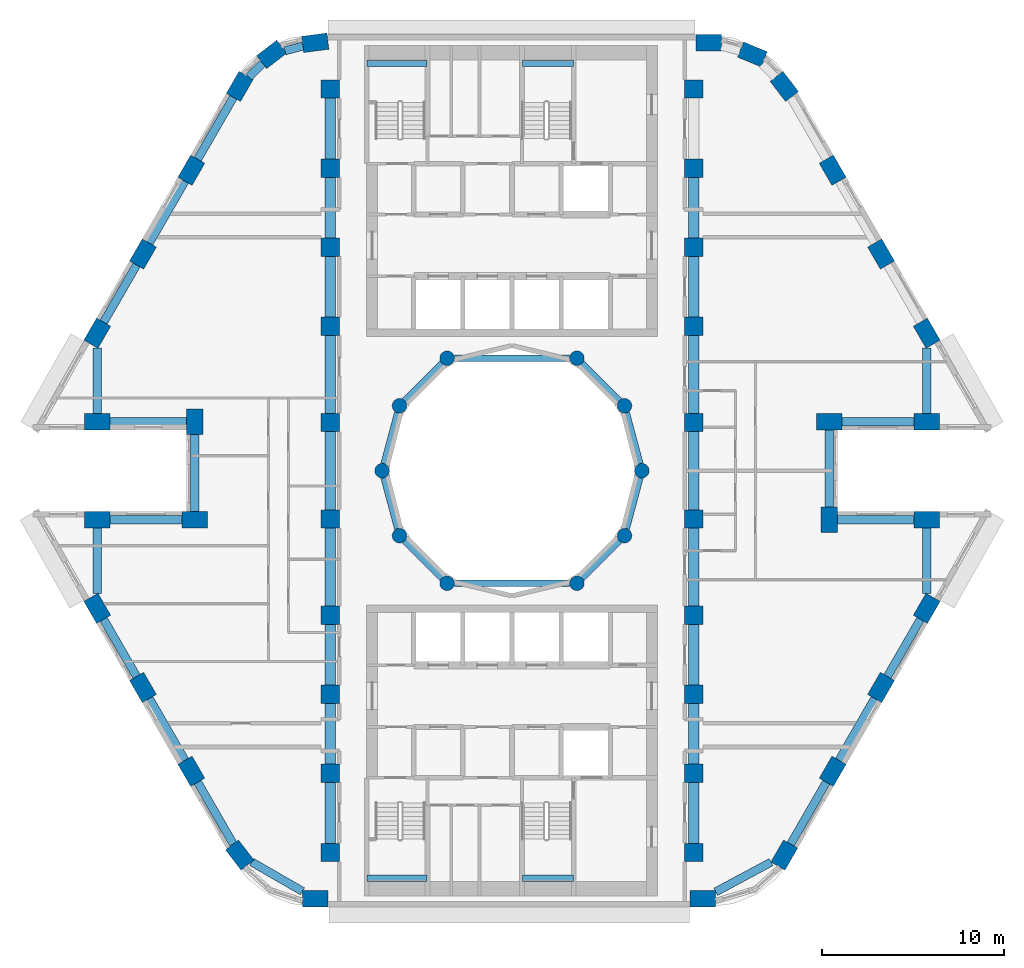
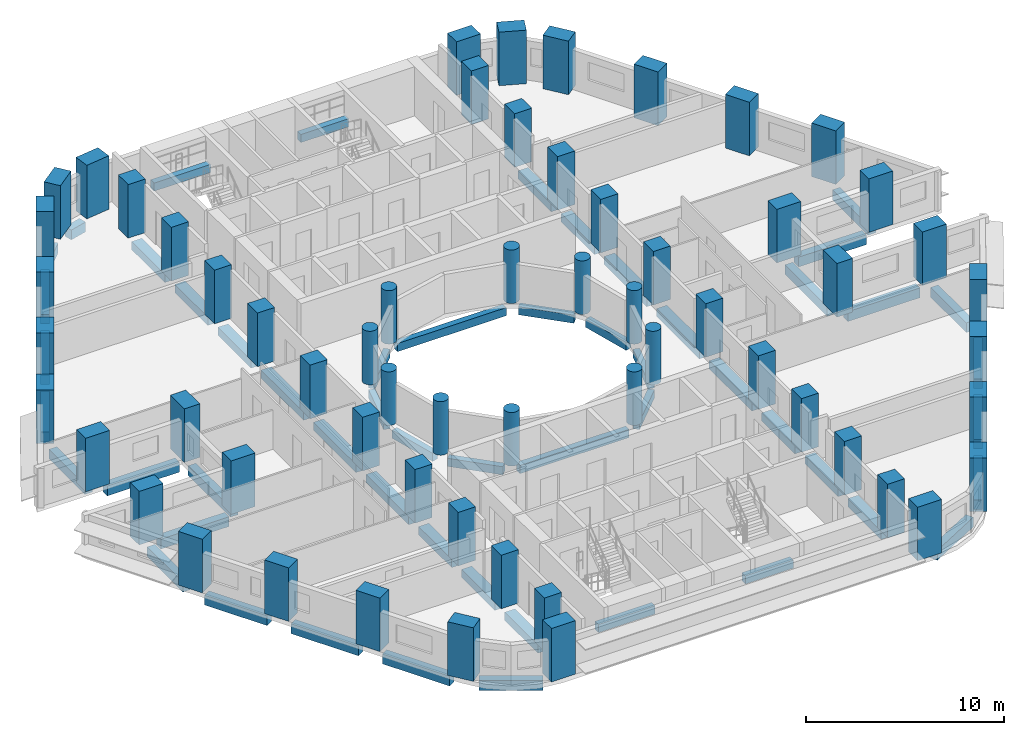
# One storey, part 1 of 12: 60 columns, 54 beams.
"""IFC4 building model written with IfcOpenShell, lengths in metres."""

from ifc_helpers import new_model, si_unit, direction, frame, origin, origin_2d, place, context, subcontext, project, spatial, rectangle, circle, extrude, material, material_profile, profile_set, type_object, element, save


model = new_model("IFC4")

# Units and contexts
model_context = context("Model", 3, precision=1e-05, world=origin(), true_north=direction((0.0, 1.0)))
body_context = subcontext(model_context, "Body", "Model", "MODEL_VIEW")
ifc_project = project(units=[si_unit("LENGTHUNIT", "METRE"), si_unit("AREAUNIT", "SQUARE_METRE"), si_unit("VOLUMEUNIT", "CUBIC_METRE"), si_unit("PLANEANGLEUNIT", "RADIAN"), si_unit("MASSUNIT", "GRAM", prefix="KILO")], contexts=[model_context])

# Site, building, storey
site_placement = place(None, origin())
site = spatial("IfcSite", under=ifc_project, at=site_placement, CompositionType="ELEMENT")
building_placement = place(site_placement, origin())
building = spatial("IfcBuilding", under=site, at=building_placement, Name="Nakaniwa Court", CompositionType="ELEMENT")
storey_placement = place(building_placement, frame((0.0, 0.0, 87.60009765625)))
storey = spatial("IfcBuildingStorey", under=building, at=storey_placement, Name="L22", CompositionType="ELEMENT", Elevation=87.60009765625)

# Columns
ifc_material = material(Name="Concrete C80/100", Category="concrete")
ifc_material_profile_1 = material_profile(ifc_material, rectangle(XDim=1.0, YDim=1.0, at=origin_2d()), Name="Concrete C80/100 RC 1000x1000 spine column")
ifc_profile_set_1 = profile_set([ifc_material_profile_1], Name="Concrete C80/100")
column_type_1 = type_object("IfcColumnType", Name="Concrete C80/100 RC 1000x1000 spine column", PredefinedType="COLUMN", material=ifc_profile_set_1)
for number, where, z_axis, x_axis, name in (
    (1, (90.0, 59.0, 0.0), (0.0, 0.0, 1.0), (0.0, 1.0, 0.0), "COLUMN CS-01"),
    (2, (90.0, 63.35009765625, 0.0), (0.0, 0.0, 1.0), (0.0, 1.0, 0.0), "COLUMN CS-02"),
    (3, (90.0, 67.699951171875, 0.0), (0.0, 0.0, 1.0), (0.0, 1.0, 0.0), "COLUMN CS-03"),
    (4, (90.0, 72.050048828125, 0.0), (0.0, 0.0, 1.0), (0.0, 1.0, 0.0), "COLUMN CS-04"),
    (5, (90.0, 77.35009765625, 0.0), (0.0, 0.0, 1.0), (0.0, 1.0, 0.0), "COLUMN CS-05"),
    (6, (90.0, 82.64990234375, 0.0), (0.0, 0.0, 1.0), (0.0, 1.0, 0.0), "COLUMN CS-06"),
    (7, (90.0, 87.949951171875, 0.0), (0.0, 0.0, 1.0), (0.0, 1.0, 0.0), "COLUMN CS-07"),
    (8, (90.0, 92.300048828125, 0.0), (0.0, 0.0, 1.0), (0.0, 1.0, 0.0), "COLUMN CS-08"),
    (9, (90.0, 96.64990234375, 0.0), (0.0, 0.0, 1.0), (0.0, 1.0, 0.0), "COLUMN CS-09"),
    (10, (90.0, 101.0, 0.0), (0.0, 0.0, 1.0), (0.0, 1.0, 0.0), "COLUMN CS-10"),
    (11, (70.0, 101.0, 0.0), (0.0, 0.0, 1.0), (0.0, -1.0, 0.0), "COLUMN CS-11"),
    (12, (70.0, 96.64990234375, 0.0), (0.0, 0.0, 1.0), (0.0, -1.0, 0.0), "COLUMN CS-12"),
    (13, (70.0, 92.300048828125, 0.0), (0.0, 0.0, 1.0), (0.0, -1.0, 0.0), "COLUMN CS-13"),
    (14, (70.0, 87.949951171875, 0.0), (0.0, 0.0, 1.0), (0.0, -1.0, 0.0), "COLUMN CS-14"),
    (15, (70.0, 82.64990234375, 0.0), (0.0, 0.0, 1.0), (0.0, -1.0, 0.0), "COLUMN CS-15"),
    (16, (70.0, 77.35009765625, 0.0), (0.0, 0.0, 1.0), (0.0, -1.0, 0.0), "COLUMN CS-16"),
    (17, (70.0, 72.050048828125, 0.0), (0.0, 0.0, 1.0), (0.0, -1.0, 0.0), "COLUMN CS-17"),
    (18, (70.0, 67.699951171875, 0.0), (0.0, 0.0, 1.0), (0.0, -1.0, 0.0), "COLUMN CS-18"),
    (19, (70.0, 63.35009765625, 0.0), (0.0, 0.0, 1.0), (0.0, -1.0, 0.0), "COLUMN CS-19"),
    (20, (70.0, 59.0, 0.0), (0.0, 0.0, 1.0), (0.0, -1.0, 0.0), "COLUMN CS-20"),
):
    element("IfcColumn", number, at=place(storey_placement, frame(where, z_axis=z_axis, x_axis=x_axis)), inside=storey, type_object=column_type_1, Name=name, PredefinedType="COLUMN", context=body_context, shape_type="SweptSolid", body=[
        extrude(rectangle(XDim=1.0, YDim=1.0, at=origin_2d()), origin(), (0.0, 0.0, 1.0), 3.2998046875),
    ])
ifc_material_profile_2 = material_profile(ifc_material, rectangle(XDim=1.39990234375, YDim=0.89990234375, at=origin_2d()), Name="Concrete C80/100 RC 1400x900 perimeter column")
ifc_profile_set_2 = profile_set([ifc_material_profile_2], Name="Concrete C80/100")
column_type_2 = type_object("IfcColumnType", Name="Concrete C80/100 RC 1400x900 perimeter column", PredefinedType="COLUMN", material=ifc_profile_set_2)
for number, where, z_axis, x_axis, name in (
    (21, (69.17529296875, 103.550048828125, 0.0), (0.0, 0.0, 1.0), (-0.991442583111, -0.130543496177, 0.0), "COLUMN CO-01"),
    (22, (66.772705078125, 102.91015625, 0.0), (0.0, 0.0, 1.0), (-0.793363965062, -0.608747582288, 0.0), "COLUMN CO-02"),
    (23, (65.017578125, 101.1494140625, 0.0), (0.0, 0.0, 1.0), (-0.5, -0.866025403784, 0.0), "COLUMN CO-03"),
    (24, (62.3544921875, 96.537109375, 0.0), (0.0, 0.0, 1.0), (-0.5, -0.866025403784, 0.0), "COLUMN CO-04"),
    (25, (59.691650390625, 91.9248046875, 0.0), (0.0, 0.0, 1.0), (-0.5, -0.866025403784, 0.0), "COLUMN CO-05"),
    (26, (57.177001953125, 87.569580078125, 0.0), (0.0, 0.0, 1.0), (-0.5, -0.866025403784, 0.0), "COLUMN CO-06"),
    (27, (57.177001953125, 82.699951171875, 0.0), (0.0, 0.0, 1.0), (1.0, 0.0, 0.0), "COLUMN CO-08"),
    (28, (62.54150390625, 82.699951171875, 0.0), (0.0, 0.0, 1.0), (0.0, -1.0, 0.0), "COLUMN CO-09"),
    (29, (62.54150390625, 77.300048828125, 0.0), (0.0, 0.0, 1.0), (-1.0, 0.0, 0.0), "COLUMN CO-10"),
    (30, (57.177001953125, 77.300048828125, 0.0), (0.0, 0.0, 1.0), (-1.0, 0.0, 0.0), "COLUMN CO-11"),
    (31, (57.177001953125, 72.430419921875, 0.0), (0.0, 0.0, 1.0), (0.5, -0.866025403784, 0.0), "COLUMN CO-13"),
    (32, (59.691650390625, 68.0751953125, 0.0), (0.0, 0.0, 1.0), (0.5, -0.866025403784, 0.0), "COLUMN CO-14"),
    (33, (62.3544921875, 63.462890625, 0.0), (0.0, 0.0, 1.0), (0.5, -0.866025403784, 0.0), "COLUMN CO-15"),
    (34, (65.017578125, 58.8505859375, 0.0), (0.0, 0.0, 1.0), (0.608761429009, -0.793353340291, 0.0), "COLUMN CO-16"),
    (35, (69.17529296875, 56.449951171875, 0.0), (0.0, 0.0, 1.0), (1.0, 0.0, 0.0), "COLUMN CO-17"),
    (36, (90.507080078125, 56.449951171875, 0.0), (0.0, 0.0, 1.0), (1.0, 0.0, 0.0), "COLUMN CO-21"),
    (37, (94.982421875, 58.8505859375, 0.0), (0.0, 0.0, 1.0), (0.5, 0.866025403784, 0.0), "COLUMN CO-22"),
    (38, (97.6455078125, 63.462890625, 0.0), (0.0, 0.0, 1.0), (0.5, 0.866025403784, 0.0), "COLUMN CO-23"),
    (39, (100.308349609375, 68.0751953125, 0.0), (0.0, 0.0, 1.0), (0.5, 0.866025403784, 0.0), "COLUMN CO-24"),
    (40, (102.822998046875, 72.430419921875, 0.0), (0.0, 0.0, 1.0), (0.5, 0.866025403784, 0.0), "COLUMN CO-25"),
    (41, (102.822998046875, 77.300048828125, 0.0), (0.0, 0.0, 1.0), (-1.0, 0.0, 0.0), "COLUMN CO-27"),
    (42, (97.45849609375, 77.300048828125, 0.0), (0.0, 0.0, 1.0), (0.0, 1.0, 0.0), "COLUMN CO-28"),
    (43, (97.45849609375, 82.699951171875, 0.0), (0.0, 0.0, 1.0), (1.0, 0.0, 0.0), "COLUMN CO-29"),
    (44, (102.822998046875, 82.699951171875, 0.0), (0.0, 0.0, 1.0), (1.0, 0.0, 0.0), "COLUMN CO-30"),
    (45, (102.822998046875, 87.569580078125, 0.0), (0.0, 0.0, 1.0), (-0.5, 0.866025403784, 0.0), "COLUMN CO-32"),
    (46, (100.308349609375, 91.9248046875, 0.0), (0.0, 0.0, 1.0), (-0.5, 0.866025403784, 0.0), "COLUMN CO-33"),
    (47, (97.6455078125, 96.537109375, 0.0), (0.0, 0.0, 1.0), (-0.5, 0.866025403784, 0.0), "COLUMN CO-34"),
    (48, (94.982421875, 101.1494140625, 0.0), (0.0, 0.0, 1.0), (-0.608761429009, 0.793353340291, 0.0), "COLUMN CO-35"),
    (49, (93.227294921875, 102.91015625, 0.0), (0.0, 0.0, 1.0), (-0.923879532511, 0.382683432365, 0.0), "COLUMN CO-36"),
    (50, (90.82470703125, 103.550048828125, 0.0), (0.0, 0.0, 1.0), (-1.0, 0.0, 0.0), "COLUMN CO-37"),
):
    element("IfcColumn", number, at=place(storey_placement, frame(where, z_axis=z_axis, x_axis=x_axis)), inside=storey, type_object=column_type_2, Name=name, PredefinedType="COLUMN", context=body_context, shape_type="SweptSolid", body=[
        extrude(rectangle(XDim=1.39990234375, YDim=0.89990234375, at=origin_2d()), origin(), (0.0, 0.0, 1.0), 3.2998046875),
    ])
ifc_material_profile_3 = material_profile(ifc_material, circle(Radius=0.39990234375, at=origin_2d()), Name="Concrete C80/100 RC D800 inner ring column")
ifc_profile_set_3 = profile_set([ifc_material_profile_3], Name="Concrete C80/100")
column_type_3 = type_object("IfcColumnType", Name="Concrete C80/100 RC D800 inner ring column", PredefinedType="COLUMN", material=ifc_profile_set_3)
for number, where, z_axis, x_axis, name in (
    (51, (87.14990234375, 80.0, 0.0), (0.0, 0.0, 1.0), (0.0, 1.0, 0.0), "COLUMN CI-01"),
    (52, (86.192138671875, 83.574951171875, 0.0), (0.0, 0.0, 1.0), (-0.5, 0.866025403784, 0.0), "COLUMN CI-02"),
    (53, (83.574951171875, 86.192138671875, 0.0), (0.0, 0.0, 1.0), (-0.866025403784, 0.5, 0.0), "COLUMN CI-03"),
    (54, (76.425048828125, 86.192138671875, 0.0), (0.0, 0.0, 1.0), (-0.866025403784, -0.5, 0.0), "COLUMN CI-05"),
    (55, (73.807861328125, 83.574951171875, 0.0), (0.0, 0.0, 1.0), (-0.5, -0.866025403784, 0.0), "COLUMN CI-06"),
    (56, (72.85009765625, 80.0, 0.0), (0.0, 0.0, 1.0), (0.0, -1.0, 0.0), "COLUMN CI-07"),
    (57, (73.807861328125, 76.425048828125, 0.0), (0.0, 0.0, 1.0), (0.5, -0.866025403784, 0.0), "COLUMN CI-08"),
    (58, (76.425048828125, 73.807861328125, 0.0), (0.0, 0.0, 1.0), (0.866025403784, -0.5, 0.0), "COLUMN CI-09"),
    (59, (83.574951171875, 73.807861328125, 0.0), (0.0, 0.0, 1.0), (0.866025403784, 0.5, 0.0), "COLUMN CI-11"),
    (60, (86.192138671875, 76.425048828125, 0.0), (0.0, 0.0, 1.0), (0.5, 0.866025403784, 0.0), "COLUMN CI-12"),
):
    element("IfcColumn", number, at=place(storey_placement, frame(where, z_axis=z_axis, x_axis=x_axis)), inside=storey, type_object=column_type_3, Name=name, PredefinedType="COLUMN", context=body_context, shape_type="SweptSolid", body=[
        extrude(circle(Radius=0.39990234375, at=origin_2d()), origin(), (0.0, 0.0, 1.0), 3.2998046875),
    ])

# Beams
ifc_material_profile_4 = material_profile(ifc_material, rectangle(XDim=0.35009765625, YDim=0.5, at=origin_2d()), Name="Concrete C80/100 RC 350x500 landing ledge beam")
ifc_profile_set_4 = profile_set([ifc_material_profile_4], Name="Concrete C80/100")
beam_type_1 = type_object("IfcBeamType", Name="Concrete C80/100 RC 350x500 landing ledge beam", PredefinedType="BEAM", material=ifc_profile_set_4)
beam_1_placement = place(storey_placement, frame((72.02490234375, 102.425048828125, 1.199951171875), z_axis=(1.0, 0.0, 0.0), x_axis=(0.0, 1.0, 0.0)))
element("IfcBeam", 61, at=beam_1_placement, inside=storey, type_object=beam_type_1, Name="LANDING LEDGE BEAM", PredefinedType="BEAM", context=body_context, shape_type="SweptSolid", body=[
    extrude(rectangle(XDim=0.35009765625, YDim=0.5, at=origin_2d()), origin(), (0.0, 0.0, 1.0), 3.300048828125),
])
beam_2_placement = place(storey_placement, frame((80.574951171875, 102.425048828125, 1.199951171875), z_axis=(1.0, 0.0, 0.0), x_axis=(0.0, 1.0, 0.0)))
element("IfcBeam", 62, at=beam_2_placement, inside=storey, type_object=beam_type_1, Name="LANDING LEDGE BEAM", PredefinedType="BEAM", context=body_context, shape_type="SweptSolid", body=[
    extrude(rectangle(XDim=0.35009765625, YDim=0.5, at=origin_2d()), origin(), (0.0, 0.0, 1.0), 2.800048828125),
])
beam_3_placement = place(storey_placement, frame((72.02490234375, 57.574951171875, 1.199951171875), z_axis=(1.0, 0.0, 0.0), x_axis=(0.0, 1.0, 0.0)))
element("IfcBeam", 63, at=beam_3_placement, inside=storey, type_object=beam_type_1, Name="LANDING LEDGE BEAM", PredefinedType="BEAM", context=body_context, shape_type="SweptSolid", body=[
    extrude(rectangle(XDim=0.35009765625, YDim=0.5, at=origin_2d()), origin(), (0.0, 0.0, 1.0), 3.300048828125),
])
beam_4_placement = place(storey_placement, frame((80.574951171875, 57.574951171875, 1.199951171875), z_axis=(1.0, 0.0, 0.0), x_axis=(0.0, 1.0, 0.0)))
element("IfcBeam", 64, at=beam_4_placement, inside=storey, type_object=beam_type_1, Name="LANDING LEDGE BEAM", PredefinedType="BEAM", context=body_context, shape_type="SweptSolid", body=[
    extrude(rectangle(XDim=0.35009765625, YDim=0.5, at=origin_2d()), origin(), (0.0, 0.0, 1.0), 2.800048828125),
])
ifc_material_profile_5 = material_profile(ifc_material, rectangle(XDim=0.35009765625, YDim=0.5, at=origin_2d()), Name="Concrete C80/100 RC 350x500 ring beam")
ifc_profile_set_5 = profile_set([ifc_material_profile_5], Name="Concrete C80/100")
beam_type_2 = type_object("IfcBeamType", Name="Concrete C80/100 RC 350x500 ring beam", PredefinedType="BEAM", material=ifc_profile_set_5)
beam_5_placement = place(storey_placement, frame((87.04638671875, 80.386474609375, -0.525146484375), z_axis=(-0.258778150207, 0.965936783115, 0.0), x_axis=(-0.965936783115, -0.258778150207, 0.0)))
element("IfcBeam", 65, at=beam_5_placement, inside=storey, type_object=beam_type_2, Name="RING BEAM", PredefinedType="BEAM", context=body_context, shape_type="SweptSolid", body=[
    extrude(rectangle(XDim=0.35009765625, YDim=0.5, at=origin_2d()), origin(), (0.0, 0.0, 1.0), 2.901123046875),
])
beam_6_placement = place(storey_placement, frame((85.9091796875, 83.85791015625, -0.525146484375), z_axis=(-0.707106781187, 0.707106781187, 0.0), x_axis=(-0.707106781187, -0.707106781187, 0.0)))
element("IfcBeam", 66, at=beam_6_placement, inside=storey, type_object=beam_type_2, Name="RING BEAM", PredefinedType="BEAM", context=body_context, shape_type="SweptSolid", body=[
    extrude(rectangle(XDim=0.35009765625, YDim=0.5, at=origin_2d()), origin(), (0.0, 0.0, 1.0), 2.90087890625),
])
beam_7_placement = place(storey_placement, frame((83.175048828125, 86.192138671875, -0.525146484375), z_axis=(-1.0, 0.0, 0.0), x_axis=(0.0, -1.0, 0.0)))
element("IfcBeam", 67, at=beam_7_placement, inside=storey, type_object=beam_type_2, Name="RING BEAM", PredefinedType="BEAM", context=body_context, shape_type="SweptSolid", body=[
    extrude(rectangle(XDim=0.35009765625, YDim=0.5, at=origin_2d()), origin(), (0.0, 0.0, 1.0), 6.35009765625),
])
beam_8_placement = place(storey_placement, frame((76.14208984375, 85.9091796875, -0.525146484375), z_axis=(-0.707106781187, -0.707106781187, 0.0), x_axis=(0.707106781187, -0.707106781187, 0.0)))
element("IfcBeam", 68, at=beam_8_placement, inside=storey, type_object=beam_type_2, Name="RING BEAM", PredefinedType="BEAM", context=body_context, shape_type="SweptSolid", body=[
    extrude(rectangle(XDim=0.35009765625, YDim=0.5, at=origin_2d()), origin(), (0.0, 0.0, 1.0), 2.90087890625),
])
for number, where, z_axis, x_axis, name in (
    (69, (73.704345703125, 83.188720703125, -0.525146484375), (-0.258778150207, -0.965936783115, 0.0), (0.965936783115, -0.258778150207, 0.0), "RING BEAM"),
    (70, (72.95361328125, 79.613525390625, -0.525146484375), (0.258778150207, -0.965936783115, 0.0), (0.965936783115, 0.258778150207, 0.0), "RING BEAM"),
):
    element("IfcBeam", number, at=place(storey_placement, frame(where, z_axis=z_axis, x_axis=x_axis)), inside=storey, type_object=beam_type_2, Name=name, PredefinedType="BEAM", context=body_context, shape_type="SweptSolid", body=[
        extrude(rectangle(XDim=0.35009765625, YDim=0.5, at=origin_2d()), origin(), (0.0, 0.0, 1.0), 2.901123046875),
    ])
beam_9_placement = place(storey_placement, frame((74.0908203125, 76.14208984375, -0.525146484375), z_axis=(0.707106781187, -0.707106781187, 0.0), x_axis=(0.707106781187, 0.707106781187, 0.0)))
element("IfcBeam", 71, at=beam_9_placement, inside=storey, type_object=beam_type_2, Name="RING BEAM", PredefinedType="BEAM", context=body_context, shape_type="SweptSolid", body=[
    extrude(rectangle(XDim=0.35009765625, YDim=0.5, at=origin_2d()), origin(), (0.0, 0.0, 1.0), 2.90087890625),
])
beam_10_placement = place(storey_placement, frame((76.824951171875, 73.807861328125, -0.525146484375), z_axis=(1.0, 0.0, 0.0), x_axis=(0.0, 1.0, 0.0)))
element("IfcBeam", 72, at=beam_10_placement, inside=storey, type_object=beam_type_2, Name="RING BEAM", PredefinedType="BEAM", context=body_context, shape_type="SweptSolid", body=[
    extrude(rectangle(XDim=0.35009765625, YDim=0.5, at=origin_2d()), origin(), (0.0, 0.0, 1.0), 6.35009765625),
])
beam_11_placement = place(storey_placement, frame((83.85791015625, 74.0908203125, -0.525146484375), z_axis=(0.707106781187, 0.707106781187, 0.0), x_axis=(-0.707106781187, 0.707106781187, 0.0)))
element("IfcBeam", 73, at=beam_11_placement, inside=storey, type_object=beam_type_2, Name="RING BEAM", PredefinedType="BEAM", context=body_context, shape_type="SweptSolid", body=[
    extrude(rectangle(XDim=0.35009765625, YDim=0.5, at=origin_2d()), origin(), (0.0, 0.0, 1.0), 2.90087890625),
])
beam_12_placement = place(storey_placement, frame((86.295654296875, 76.811279296875, -0.525146484375), z_axis=(0.258778150207, 0.965936783115, 0.0), x_axis=(-0.965936783115, 0.258778150207, 0.0)))
element("IfcBeam", 74, at=beam_12_placement, inside=storey, type_object=beam_type_2, Name="RING BEAM", PredefinedType="BEAM", context=body_context, shape_type="SweptSolid", body=[
    extrude(rectangle(XDim=0.35009765625, YDim=0.5, at=origin_2d()), origin(), (0.0, 0.0, 1.0), 2.901123046875),
])
ifc_material_profile_6 = material_profile(ifc_material, rectangle(XDim=0.449951171875, YDim=0.60009765625, at=origin_2d()), Name="Concrete C80/100 RC 450x600 spandrel beam")
ifc_profile_set_6 = profile_set([ifc_material_profile_6], Name="Concrete C80/100")
beam_type_3 = type_object("IfcBeamType", Name="Concrete C80/100 RC 450x600 spandrel beam", PredefinedType="BEAM", material=ifc_profile_set_6)
beam_13_placement = place(storey_placement, frame((68.4931640625, 103.368408203125, -0.5751953125), z_axis=(-0.966290412053, -0.257454538851, 0.0), x_axis=(0.257454538851, -0.966290412053, 0.0)))
element("IfcBeam", 75, at=beam_13_placement, inside=storey, type_object=beam_type_3, Name="SPANDREL BEAM", PredefinedType="BEAM", context=body_context, shape_type="SweptSolid", body=[
    extrude(rectangle(XDim=0.449951171875, YDim=0.60009765625, at=origin_2d()), origin(), (0.0, 0.0, 1.0), 1.022216796875),
])
beam_14_placement = place(storey_placement, frame((66.274169921875, 102.41015625, -0.5751953125), z_axis=(-0.70606530329, -0.708146727374, 0.0), x_axis=(0.708146727374, -0.70606530329, 0.0)))
element("IfcBeam", 76, at=beam_14_placement, inside=storey, type_object=beam_type_3, Name="SPANDREL BEAM", PredefinedType="BEAM", context=body_context, shape_type="SweptSolid", body=[
    extrude(rectangle(XDim=0.449951171875, YDim=0.60009765625, at=origin_2d()), origin(), (0.0, 0.0, 1.0), 1.0556640625),
])
for number, where, z_axis, x_axis, name in (
    (77, (64.66748046875, 100.543212890625, -0.5751953125), (-0.49999161165, -0.866030246746, 0.0), (0.866030246746, -0.49999161165, 0.0), "SPANDREL BEAM"),
    (78, (62.00439453125, 95.930908203125, -0.5751953125), (-0.49999161165, -0.866030246746, 0.0), (0.866030246746, -0.49999161165, 0.0), "SPANDREL BEAM"),
):
    element("IfcBeam", number, at=place(storey_placement, frame(where, z_axis=z_axis, x_axis=x_axis)), inside=storey, type_object=beam_type_3, Name=name, PredefinedType="BEAM", context=body_context, shape_type="SweptSolid", body=[
        extrude(rectangle(XDim=0.449951171875, YDim=0.60009765625, at=origin_2d()), origin(), (0.0, 0.0, 1.0), 3.92578125),
    ])
beam_15_placement = place(storey_placement, frame((59.341552734375, 91.318603515625, -0.5751953125), z_axis=(-0.499988394233, -0.866032104273, 0.0), x_axis=(0.866032104273, -0.499988394233, 0.0)))
element("IfcBeam", 79, at=beam_15_placement, inside=storey, type_object=beam_type_3, Name="SPANDREL BEAM", PredefinedType="BEAM", context=body_context, shape_type="SweptSolid", body=[
    extrude(rectangle(XDim=0.449951171875, YDim=0.60009765625, at=origin_2d()), origin(), (0.0, 0.0, 1.0), 3.62890625),
])
beam_16_placement = place(storey_placement, frame((57.177001953125, 86.761474609375, -0.5751953125), z_axis=(0.0, -1.0, 0.0), x_axis=(1.0, 0.0, 0.0)))
element("IfcBeam", 80, at=beam_16_placement, inside=storey, type_object=beam_type_3, Name="SPANDREL BEAM", PredefinedType="BEAM", context=body_context, shape_type="SweptSolid", body=[
    extrude(rectangle(XDim=0.449951171875, YDim=0.60009765625, at=origin_2d()), origin(), (0.0, 0.0, 1.0), 3.611572265625),
])
beam_17_placement = place(storey_placement, frame((57.877197265625, 82.699951171875, -0.5751953125), z_axis=(1.0, 0.0, 0.0), x_axis=(0.0, 1.0, 0.0)))
element("IfcBeam", 81, at=beam_17_placement, inside=storey, type_object=beam_type_3, Name="SPANDREL BEAM", PredefinedType="BEAM", context=body_context, shape_type="SweptSolid", body=[
    extrude(rectangle(XDim=0.449951171875, YDim=0.60009765625, at=origin_2d()), origin(), (0.0, 0.0, 1.0), 4.21435546875),
])
beam_18_placement = place(storey_placement, frame((62.54150390625, 82.0, -0.5751953125), z_axis=(0.0, -1.0, 0.0), x_axis=(1.0, 0.0, 0.0)))
element("IfcBeam", 82, at=beam_18_placement, inside=storey, type_object=beam_type_3, Name="SPANDREL BEAM", PredefinedType="BEAM", context=body_context, shape_type="SweptSolid", body=[
    extrude(rectangle(XDim=0.449951171875, YDim=0.60009765625, at=origin_2d()), origin(), (0.0, 0.0, 1.0), 4.25),
])
beam_19_placement = place(storey_placement, frame((61.841552734375, 77.300048828125, -0.5751953125), z_axis=(-1.0, 0.0, 0.0), x_axis=(0.0, -1.0, 0.0)))
element("IfcBeam", 83, at=beam_19_placement, inside=storey, type_object=beam_type_3, Name="SPANDREL BEAM", PredefinedType="BEAM", context=body_context, shape_type="SweptSolid", body=[
    extrude(rectangle(XDim=0.449951171875, YDim=0.60009765625, at=origin_2d()), origin(), (0.0, 0.0, 1.0), 3.96435546875),
])
beam_20_placement = place(storey_placement, frame((57.177001953125, 76.85009765625, -0.5751953125), z_axis=(0.0, -1.0, 0.0), x_axis=(1.0, 0.0, 0.0)))
element("IfcBeam", 84, at=beam_20_placement, inside=storey, type_object=beam_type_3, Name="SPANDREL BEAM", PredefinedType="BEAM", context=body_context, shape_type="SweptSolid", body=[
    extrude(rectangle(XDim=0.449951171875, YDim=0.60009765625, at=origin_2d()), origin(), (0.0, 0.0, 1.0), 3.611572265625),
])
beam_21_placement = place(storey_placement, frame((57.527099609375, 71.82421875, -0.5751953125), z_axis=(0.499988394233, -0.866032104273, 0.0), x_axis=(0.866032104273, 0.499988394233, 0.0)))
element("IfcBeam", 85, at=beam_21_placement, inside=storey, type_object=beam_type_3, Name="SPANDREL BEAM", PredefinedType="BEAM", context=body_context, shape_type="SweptSolid", body=[
    extrude(rectangle(XDim=0.449951171875, YDim=0.60009765625, at=origin_2d()), origin(), (0.0, 0.0, 1.0), 3.62890625),
])
beam_22_placement = place(storey_placement, frame((60.04150390625, 67.468994140625, -0.5751953125), z_axis=(0.49999161165, -0.866030246746, 0.0), x_axis=(0.866030246746, 0.49999161165, 0.0)))
element("IfcBeam", 86, at=beam_22_placement, inside=storey, type_object=beam_type_3, Name="SPANDREL BEAM", PredefinedType="BEAM", context=body_context, shape_type="SweptSolid", body=[
    extrude(rectangle(XDim=0.449951171875, YDim=0.60009765625, at=origin_2d()), origin(), (0.0, 0.0, 1.0), 3.92578125),
])
beam_23_placement = place(storey_placement, frame((62.70458984375, 62.856689453125, -0.5751953125), z_axis=(0.499997407846, -0.86602690036, 0.0), x_axis=(0.86602690036, 0.499997407846, 0.0)))
element("IfcBeam", 87, at=beam_23_placement, inside=storey, type_object=beam_type_3, Name="SPANDREL BEAM", PredefinedType="BEAM", context=body_context, shape_type="SweptSolid", body=[
    extrude(rectangle(XDim=0.449951171875, YDim=0.60009765625, at=origin_2d()), origin(), (0.0, 0.0, 1.0), 3.919921875),
])
beam_24_placement = place(storey_placement, frame((65.673583984375, 58.4716796875, -0.5751953125), z_axis=(0.866014675542, -0.5000185814, 0.0), x_axis=(0.5000185814, 0.866014675542, 0.0)))
element("IfcBeam", 88, at=beam_24_placement, inside=storey, type_object=beam_type_3, Name="SPANDREL BEAM", PredefinedType="BEAM", context=body_context, shape_type="SweptSolid", body=[
    extrude(rectangle(XDim=0.449951171875, YDim=0.60009765625, at=origin_2d()), origin(), (0.0, 0.0, 1.0), 3.2353515625),
])
beam_25_placement = place(storey_placement, frame((91.20703125, 56.825439453125, -0.5751953125), z_axis=(0.881233381314, 0.472681423009, 0.0), x_axis=(-0.472681423009, 0.881233381314, 0.0)))
element("IfcBeam", 89, at=beam_25_placement, inside=storey, type_object=beam_type_3, Name="SPANDREL BEAM", PredefinedType="BEAM", context=body_context, shape_type="SweptSolid", body=[
    extrude(rectangle(XDim=0.449951171875, YDim=0.60009765625, at=origin_2d()), origin(), (0.0, 0.0, 1.0), 3.46044921875),
])
for number, where, z_axis, x_axis, name in (
    (90, (95.33251953125, 59.456787109375, -0.5751953125), (0.49999161165, 0.866030246746, 0.0), (-0.866030246746, 0.49999161165, 0.0), "SPANDREL BEAM"),
    (91, (97.99560546875, 64.069091796875, -0.5751953125), (0.49999161165, 0.866030246746, 0.0), (-0.866030246746, 0.49999161165, 0.0), "SPANDREL BEAM"),
):
    element("IfcBeam", number, at=place(storey_placement, frame(where, z_axis=z_axis, x_axis=x_axis)), inside=storey, type_object=beam_type_3, Name=name, PredefinedType="BEAM", context=body_context, shape_type="SweptSolid", body=[
        extrude(rectangle(XDim=0.449951171875, YDim=0.60009765625, at=origin_2d()), origin(), (0.0, 0.0, 1.0), 3.92578125),
    ])
beam_26_placement = place(storey_placement, frame((100.658447265625, 68.681396484375, -0.5751953125), z_axis=(0.499988394233, 0.866032104273, 0.0), x_axis=(-0.866032104273, 0.499988394233, 0.0)))
element("IfcBeam", 92, at=beam_26_placement, inside=storey, type_object=beam_type_3, Name="SPANDREL BEAM", PredefinedType="BEAM", context=body_context, shape_type="SweptSolid", body=[
    extrude(rectangle(XDim=0.449951171875, YDim=0.60009765625, at=origin_2d()), origin(), (0.0, 0.0, 1.0), 3.62890625),
])
beam_27_placement = place(storey_placement, frame((102.822998046875, 73.238525390625, -0.5751953125), z_axis=(0.0, 1.0, 0.0), x_axis=(-1.0, 0.0, 0.0)))
element("IfcBeam", 93, at=beam_27_placement, inside=storey, type_object=beam_type_3, Name="SPANDREL BEAM", PredefinedType="BEAM", context=body_context, shape_type="SweptSolid", body=[
    extrude(rectangle(XDim=0.449951171875, YDim=0.60009765625, at=origin_2d()), origin(), (0.0, 0.0, 1.0), 3.611572265625),
])
beam_28_placement = place(storey_placement, frame((102.122802734375, 77.300048828125, -0.5751953125), z_axis=(-1.0, 0.0, 0.0), x_axis=(0.0, -1.0, 0.0)))
element("IfcBeam", 94, at=beam_28_placement, inside=storey, type_object=beam_type_3, Name="SPANDREL BEAM", PredefinedType="BEAM", context=body_context, shape_type="SweptSolid", body=[
    extrude(rectangle(XDim=0.449951171875, YDim=0.60009765625, at=origin_2d()), origin(), (0.0, 0.0, 1.0), 4.21435546875),
])
beam_29_placement = place(storey_placement, frame((97.45849609375, 78.0, -0.5751953125), z_axis=(0.0, 1.0, 0.0), x_axis=(-1.0, 0.0, 0.0)))
element("IfcBeam", 95, at=beam_29_placement, inside=storey, type_object=beam_type_3, Name="SPANDREL BEAM", PredefinedType="BEAM", context=body_context, shape_type="SweptSolid", body=[
    extrude(rectangle(XDim=0.449951171875, YDim=0.60009765625, at=origin_2d()), origin(), (0.0, 0.0, 1.0), 4.25),
])
beam_30_placement = place(storey_placement, frame((98.158447265625, 82.699951171875, -0.5751953125), z_axis=(1.0, 0.0, 0.0), x_axis=(0.0, 1.0, 0.0)))
element("IfcBeam", 96, at=beam_30_placement, inside=storey, type_object=beam_type_3, Name="SPANDREL BEAM", PredefinedType="BEAM", context=body_context, shape_type="SweptSolid", body=[
    extrude(rectangle(XDim=0.449951171875, YDim=0.60009765625, at=origin_2d()), origin(), (0.0, 0.0, 1.0), 3.96435546875),
])
beam_31_placement = place(storey_placement, frame((102.822998046875, 83.14990234375, -0.5751953125), z_axis=(0.0, 1.0, 0.0), x_axis=(-1.0, 0.0, 0.0)))
element("IfcBeam", 97, at=beam_31_placement, inside=storey, type_object=beam_type_3, Name="SPANDREL BEAM", PredefinedType="BEAM", context=body_context, shape_type="SweptSolid", body=[
    extrude(rectangle(XDim=0.449951171875, YDim=0.60009765625, at=origin_2d()), origin(), (0.0, 0.0, 1.0), 3.611572265625),
])
ifc_material_profile_7 = material_profile(ifc_material, rectangle(XDim=0.60009765625, YDim=0.5, at=origin_2d()), Name="Concrete C80/100 RC 600x500 ring beam")
ifc_profile_set_7 = profile_set([ifc_material_profile_7], Name="Concrete C80/100")
beam_type_4 = type_object("IfcBeamType", Name="Concrete C80/100 RC 600x500 ring beam", PredefinedType="BEAM", material=ifc_profile_set_7)
beam_32_placement = place(storey_placement, frame((90.0, 59.5, -0.525146484375), z_axis=(0.0, 1.0, 0.0), x_axis=(-1.0, 0.0, 0.0)))
element("IfcBeam", 98, at=beam_32_placement, inside=storey, type_object=beam_type_4, Name="RING BEAM", PredefinedType="BEAM", context=body_context, shape_type="SweptSolid", body=[
    extrude(rectangle(XDim=0.60009765625, YDim=0.5, at=origin_2d()), origin(), (0.0, 0.0, 1.0), 3.35009765625),
])
beam_33_placement = place(storey_placement, frame((90.0, 63.85009765625, -0.525146484375), z_axis=(0.0, 1.0, 0.0), x_axis=(-1.0, 0.0, 0.0)))
element("IfcBeam", 99, at=beam_33_placement, inside=storey, type_object=beam_type_4, Name="RING BEAM", PredefinedType="BEAM", context=body_context, shape_type="SweptSolid", body=[
    extrude(rectangle(XDim=0.60009765625, YDim=0.5, at=origin_2d()), origin(), (0.0, 0.0, 1.0), 3.349853515625),
])
beam_34_placement = place(storey_placement, frame((90.0, 68.199951171875, -0.525146484375), z_axis=(0.0, 1.0, 0.0), x_axis=(-1.0, 0.0, 0.0)))
element("IfcBeam", 100, at=beam_34_placement, inside=storey, type_object=beam_type_4, Name="RING BEAM", PredefinedType="BEAM", context=body_context, shape_type="SweptSolid", body=[
    extrude(rectangle(XDim=0.60009765625, YDim=0.5, at=origin_2d()), origin(), (0.0, 0.0, 1.0), 3.35009765625),
])
beam_35_placement = place(storey_placement, frame((90.0, 72.550048828125, -0.525146484375), z_axis=(0.0, 1.0, 0.0), x_axis=(-1.0, 0.0, 0.0)))
element("IfcBeam", 101, at=beam_35_placement, inside=storey, type_object=beam_type_4, Name="RING BEAM", PredefinedType="BEAM", context=body_context, shape_type="SweptSolid", body=[
    extrude(rectangle(XDim=0.60009765625, YDim=0.5, at=origin_2d()), origin(), (0.0, 0.0, 1.0), 4.300048828125),
])
beam_36_placement = place(storey_placement, frame((90.0, 77.85009765625, -0.525146484375), z_axis=(0.0, 1.0, 0.0), x_axis=(-1.0, 0.0, 0.0)))
element("IfcBeam", 102, at=beam_36_placement, inside=storey, type_object=beam_type_4, Name="RING BEAM", PredefinedType="BEAM", context=body_context, shape_type="SweptSolid", body=[
    extrude(rectangle(XDim=0.60009765625, YDim=0.5, at=origin_2d()), origin(), (0.0, 0.0, 1.0), 4.2998046875),
])
beam_37_placement = place(storey_placement, frame((90.0, 83.14990234375, -0.525146484375), z_axis=(0.0, 1.0, 0.0), x_axis=(-1.0, 0.0, 0.0)))
element("IfcBeam", 103, at=beam_37_placement, inside=storey, type_object=beam_type_4, Name="RING BEAM", PredefinedType="BEAM", context=body_context, shape_type="SweptSolid", body=[
    extrude(rectangle(XDim=0.60009765625, YDim=0.5, at=origin_2d()), origin(), (0.0, 0.0, 1.0), 4.300048828125),
])
beam_38_placement = place(storey_placement, frame((90.0, 88.449951171875, -0.525146484375), z_axis=(0.0, 1.0, 0.0), x_axis=(-1.0, 0.0, 0.0)))
element("IfcBeam", 104, at=beam_38_placement, inside=storey, type_object=beam_type_4, Name="RING BEAM", PredefinedType="BEAM", context=body_context, shape_type="SweptSolid", body=[
    extrude(rectangle(XDim=0.60009765625, YDim=0.5, at=origin_2d()), origin(), (0.0, 0.0, 1.0), 3.35009765625),
])
beam_39_placement = place(storey_placement, frame((90.0, 92.800048828125, -0.525146484375), z_axis=(0.0, 1.0, 0.0), x_axis=(-1.0, 0.0, 0.0)))
element("IfcBeam", 105, at=beam_39_placement, inside=storey, type_object=beam_type_4, Name="RING BEAM", PredefinedType="BEAM", context=body_context, shape_type="SweptSolid", body=[
    extrude(rectangle(XDim=0.60009765625, YDim=0.5, at=origin_2d()), origin(), (0.0, 0.0, 1.0), 3.349853515625),
])
beam_40_placement = place(storey_placement, frame((70.0, 100.5, -0.525146484375), z_axis=(0.0, -1.0, 0.0), x_axis=(1.0, 0.0, 0.0)))
element("IfcBeam", 106, at=beam_40_placement, inside=storey, type_object=beam_type_4, Name="RING BEAM", PredefinedType="BEAM", context=body_context, shape_type="SweptSolid", body=[
    extrude(rectangle(XDim=0.60009765625, YDim=0.5, at=origin_2d()), origin(), (0.0, 0.0, 1.0), 3.35009765625),
])
beam_41_placement = place(storey_placement, frame((70.0, 96.14990234375, -0.525146484375), z_axis=(0.0, -1.0, 0.0), x_axis=(1.0, 0.0, 0.0)))
element("IfcBeam", 107, at=beam_41_placement, inside=storey, type_object=beam_type_4, Name="RING BEAM", PredefinedType="BEAM", context=body_context, shape_type="SweptSolid", body=[
    extrude(rectangle(XDim=0.60009765625, YDim=0.5, at=origin_2d()), origin(), (0.0, 0.0, 1.0), 3.349853515625),
])
beam_42_placement = place(storey_placement, frame((70.0, 91.800048828125, -0.525146484375), z_axis=(0.0, -1.0, 0.0), x_axis=(1.0, 0.0, 0.0)))
element("IfcBeam", 108, at=beam_42_placement, inside=storey, type_object=beam_type_4, Name="RING BEAM", PredefinedType="BEAM", context=body_context, shape_type="SweptSolid", body=[
    extrude(rectangle(XDim=0.60009765625, YDim=0.5, at=origin_2d()), origin(), (0.0, 0.0, 1.0), 3.35009765625),
])
beam_43_placement = place(storey_placement, frame((70.0, 87.449951171875, -0.525146484375), z_axis=(0.0, -1.0, 0.0), x_axis=(1.0, 0.0, 0.0)))
element("IfcBeam", 109, at=beam_43_placement, inside=storey, type_object=beam_type_4, Name="RING BEAM", PredefinedType="BEAM", context=body_context, shape_type="SweptSolid", body=[
    extrude(rectangle(XDim=0.60009765625, YDim=0.5, at=origin_2d()), origin(), (0.0, 0.0, 1.0), 4.300048828125),
])
beam_44_placement = place(storey_placement, frame((70.0, 82.14990234375, -0.525146484375), z_axis=(0.0, -1.0, 0.0), x_axis=(1.0, 0.0, 0.0)))
element("IfcBeam", 110, at=beam_44_placement, inside=storey, type_object=beam_type_4, Name="RING BEAM", PredefinedType="BEAM", context=body_context, shape_type="SweptSolid", body=[
    extrude(rectangle(XDim=0.60009765625, YDim=0.5, at=origin_2d()), origin(), (0.0, 0.0, 1.0), 4.2998046875),
])
beam_45_placement = place(storey_placement, frame((70.0, 76.85009765625, -0.525146484375), z_axis=(0.0, -1.0, 0.0), x_axis=(1.0, 0.0, 0.0)))
element("IfcBeam", 111, at=beam_45_placement, inside=storey, type_object=beam_type_4, Name="RING BEAM", PredefinedType="BEAM", context=body_context, shape_type="SweptSolid", body=[
    extrude(rectangle(XDim=0.60009765625, YDim=0.5, at=origin_2d()), origin(), (0.0, 0.0, 1.0), 4.300048828125),
])
beam_46_placement = place(storey_placement, frame((70.0, 71.550048828125, -0.525146484375), z_axis=(0.0, -1.0, 0.0), x_axis=(1.0, 0.0, 0.0)))
element("IfcBeam", 112, at=beam_46_placement, inside=storey, type_object=beam_type_4, Name="RING BEAM", PredefinedType="BEAM", context=body_context, shape_type="SweptSolid", body=[
    extrude(rectangle(XDim=0.60009765625, YDim=0.5, at=origin_2d()), origin(), (0.0, 0.0, 1.0), 3.35009765625),
])
beam_47_placement = place(storey_placement, frame((70.0, 67.199951171875, -0.525146484375), z_axis=(0.0, -1.0, 0.0), x_axis=(1.0, 0.0, 0.0)))
element("IfcBeam", 113, at=beam_47_placement, inside=storey, type_object=beam_type_4, Name="RING BEAM", PredefinedType="BEAM", context=body_context, shape_type="SweptSolid", body=[
    extrude(rectangle(XDim=0.60009765625, YDim=0.5, at=origin_2d()), origin(), (0.0, 0.0, 1.0), 3.349853515625),
])
beam_48_placement = place(storey_placement, frame((70.0, 62.85009765625, -0.525146484375), z_axis=(0.0, -1.0, 0.0), x_axis=(1.0, 0.0, 0.0)))
element("IfcBeam", 114, at=beam_48_placement, inside=storey, type_object=beam_type_4, Name="RING BEAM", PredefinedType="BEAM", context=body_context, shape_type="SweptSolid", body=[
    extrude(rectangle(XDim=0.60009765625, YDim=0.5, at=origin_2d()), origin(), (0.0, 0.0, 1.0), 3.35009765625),
])

save(model, "model.ifc")
